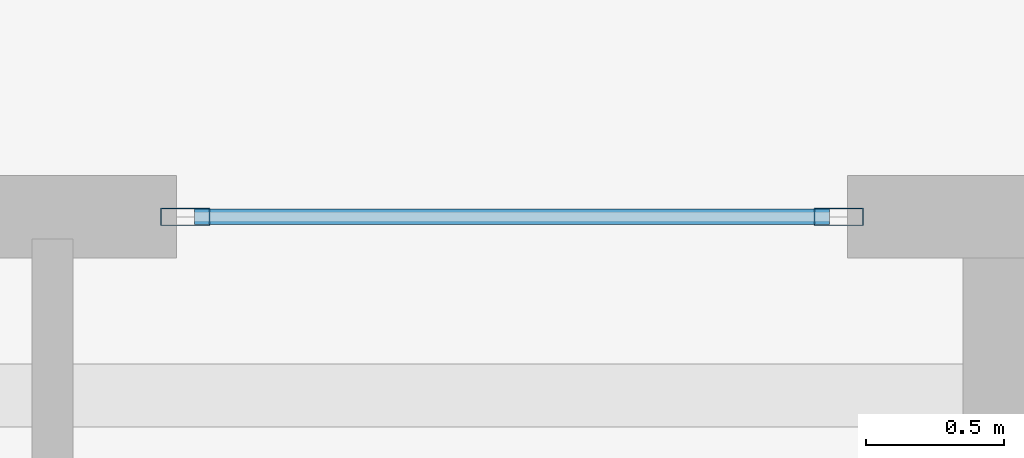
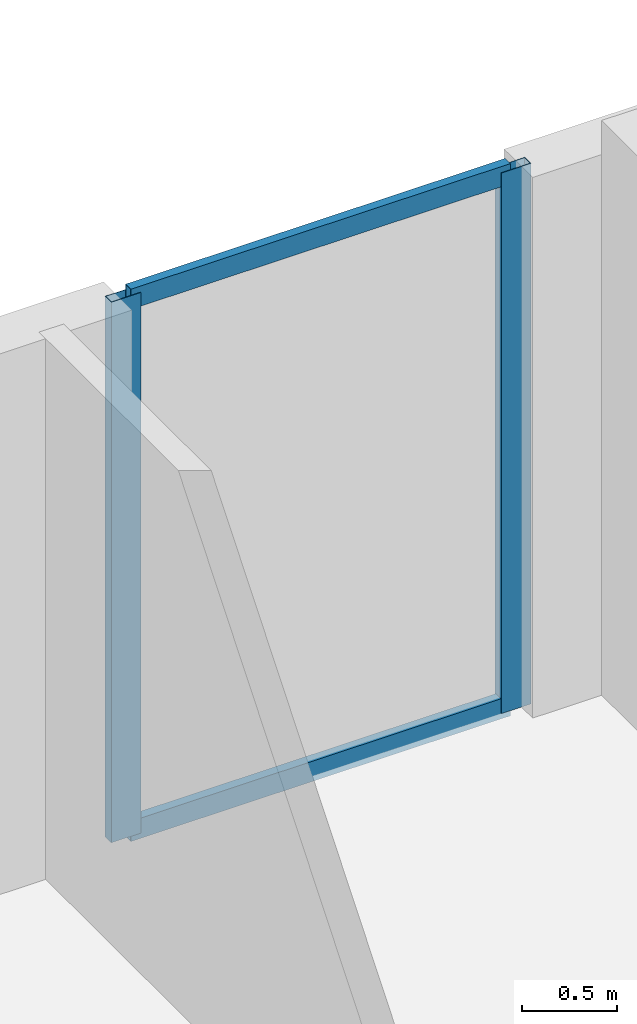
# One storey, part 17 of 26: 4 members, 1 element without a shape of its own.
"""IFC4 building model written with IfcOpenShell, lengths in metres."""

from ifc_helpers import new_model, si_unit, direction, frame, origin, origin_2d, place, context, subcontext, project, spatial, hollow_rectangle, extrude, material, layer, layer_set, material_profile, profile_set, type_object, element, aggregate, save


model = new_model("IFC4")

# Units and contexts
model_context = context("Model", 3, precision=1e-05, world=origin(), true_north=direction((0.0, 1.0)))
body_context = subcontext(model_context, "Body", "Model", "MODEL_VIEW")
ifc_project = project(units=[si_unit("LENGTHUNIT", "METRE"), si_unit("AREAUNIT", "SQUARE_METRE"), si_unit("VOLUMEUNIT", "CUBIC_METRE"), si_unit("PLANEANGLEUNIT", "RADIAN"), si_unit("MASSUNIT", "GRAM", prefix="KILO")], contexts=[model_context])

# Site, building, storey
site_placement = place(None, origin())
site = spatial("IfcSite", under=ifc_project, at=site_placement, CompositionType="ELEMENT")
building_placement = place(site_placement, origin())
building = spatial("IfcBuilding", under=site, at=building_placement, Name="Zuhayl Quay Hotel", CompositionType="ELEMENT")
storey_placement = place(building_placement, frame((0.0, 0.0, 254.449951171875)))
storey = spatial("IfcBuildingStorey", under=building, at=storey_placement, Name="L64", CompositionType="ELEMENT", Elevation=254.449951171875)

# Curtain wall, members
ifc_material_1 = material(Name="Anodised Aluminium 6063-T6", Category="aluminium")
ifc_layer = layer(ifc_material_1, 0.169921875, Name="Anodised Aluminium 6063-T6", Category="aluminium")
ifc_layer_set = layer_set([ifc_layer], Name="Anodised Aluminium 6063-T6")
curtain_wall_type = type_object("IfcCurtainWallType", Name="CW_SYS_Z4", PredefinedType="USERDEFINED", material=ifc_layer_set)
curtain_wall_placement = place(storey_placement, origin())
curtain_wall = element("IfcCurtainWall", 1, at=curtain_wall_placement, inside=storey, type_object=curtain_wall_type, Name="L64 Curtain Wall ENV_L64_N_CW4", ObjectType="UNITISED CURTAIN WALL", PredefinedType="USERDEFINED")
ifc_material_2 = material(Name="Black-anodised aluminium 6063-T6", Category="aluminium")
ifc_material_profile_1 = material_profile(ifc_material_2, hollow_rectangle(XDim=0.06494140625, YDim=0.179931640625, WallThickness=0.00341796875, at=origin_2d()), Name="ALU180X65")
ifc_profile_set_1 = profile_set([ifc_material_profile_1], Name="Black-anodised aluminium 6063-T6")
member_type_1 = type_object("IfcMemberType", Name="MB_CW_MUL_180", PredefinedType="MULLION", material=ifc_profile_set_1)
member_1_placement = place(storey_placement, frame((10.472412109375, 39.0, 0.0), z_axis=(0.0, 0.0, 1.0), x_axis=(0.0, 1.0, 0.0)))
member_1 = element("IfcMember", 2, at=member_1_placement, type_object=member_type_1, Name="CW-Z4 mullion 1", PredefinedType="MULLION", context=body_context, shape_type="SweptSolid", body=[
    extrude(hollow_rectangle(XDim=0.06494140625, YDim=0.179931640625, WallThickness=0.00341796875, at=origin_2d()), origin(), (0.0, 0.0, 1.0), 3.47998046875),
])
member_2_placement = place(storey_placement, frame((12.847412109375, 39.0, 0.0), z_axis=(0.0, 0.0, 1.0), x_axis=(0.0, 1.0, 0.0)))
member_2 = element("IfcMember", 3, at=member_2_placement, type_object=member_type_1, Name="CW-Z4 mullion 2", PredefinedType="MULLION", context=body_context, shape_type="SweptSolid", body=[
    extrude(hollow_rectangle(XDim=0.06494140625, YDim=0.179931640625, WallThickness=0.00341796875, at=origin_2d()), origin(), (0.0, 0.0, 1.0), 3.47998046875),
])
ifc_material_profile_2 = material_profile(ifc_material_2, hollow_rectangle(XDim=0.054931640625, YDim=0.1298828125, WallThickness=0.0029296875, at=origin_2d()), Name="ALU130X55")
ifc_profile_set_2 = profile_set([ifc_material_profile_2], Name="Black-anodised aluminium 6063-T6")
member_type_2 = type_object("IfcMemberType", Name="MB_CW_TRN_130", PredefinedType="USERDEFINED", material=ifc_profile_set_2)
member_3_placement = place(storey_placement, frame((10.5048828125, 39.0, 0.027587890625), z_axis=(1.0, 0.0, 0.0), x_axis=(0.0, 1.0, 0.0)))
member_3 = element("IfcMember", 4, at=member_3_placement, type_object=member_type_2, Name="CW-Z4 transom 1.1", ObjectType="TRANSOM", PredefinedType="USERDEFINED", context=body_context, shape_type="SweptSolid", body=[
    extrude(hollow_rectangle(XDim=0.054931640625, YDim=0.1298828125, WallThickness=0.0029296875, at=origin_2d()), origin(), (0.0, 0.0, 1.0), 2.31005859375),
])
member_4_placement = place(storey_placement, frame((10.5048828125, 39.0, 3.45263671875), z_axis=(1.0, 0.0, 0.0), x_axis=(0.0, 1.0, 0.0)))
member_4 = element("IfcMember", 5, at=member_4_placement, type_object=member_type_2, Name="CW-Z4 transom 1.2", ObjectType="TRANSOM", PredefinedType="USERDEFINED", context=body_context, shape_type="SweptSolid", body=[
    extrude(hollow_rectangle(XDim=0.054931640625, YDim=0.1298828125, WallThickness=0.0029296875, at=origin_2d()), origin(), (0.0, 0.0, 1.0), 2.31005859375),
])
aggregate(curtain_wall, [member_1, member_2, member_3, member_4])

save(model, "model.ifc")
